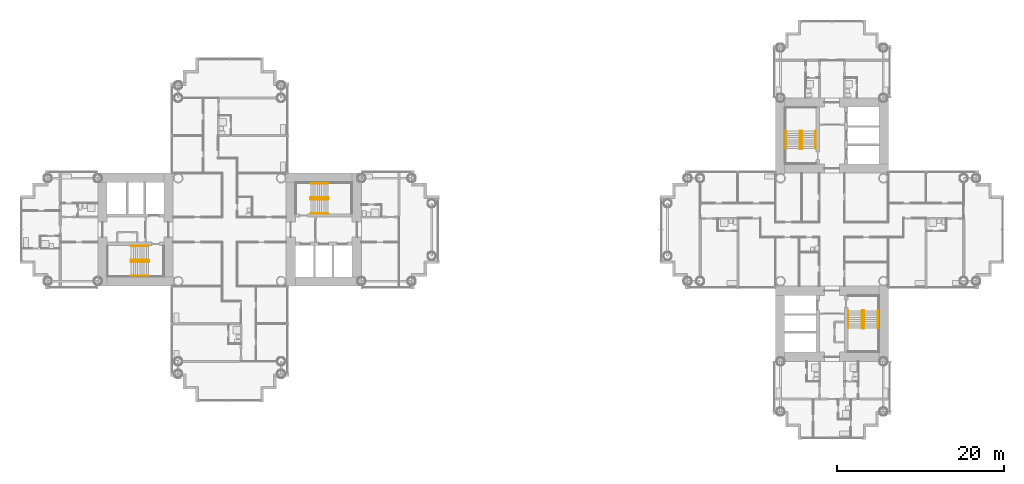
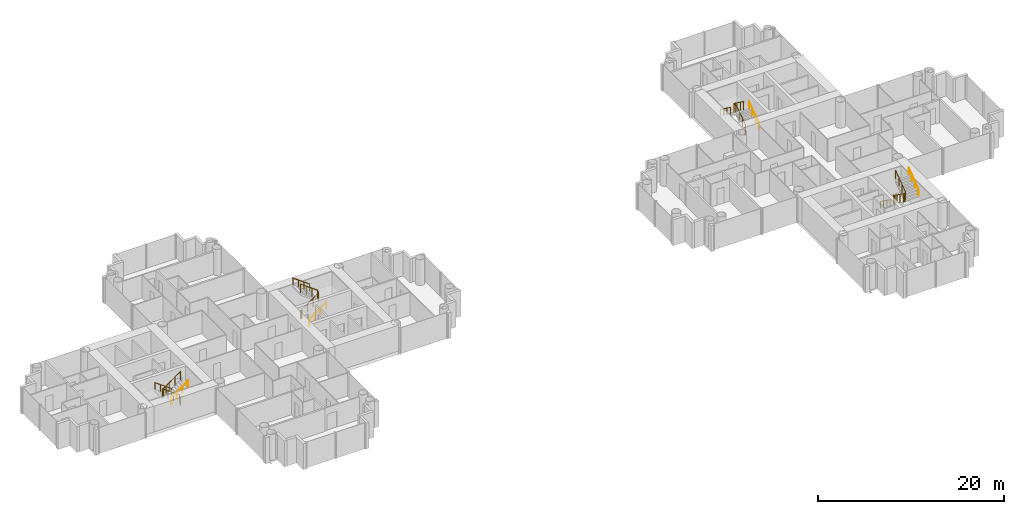
# One storey, part 20 of 21: 12 railings.
"""IFC4 building model written with IfcOpenShell, lengths in metres."""

from ifc_helpers import new_model, si_unit, direction, frame, origin, origin_2d, place, context, subcontext, project, spatial, circle, extrude, material, type_object, element, save


model = new_model("IFC4")

# Units and contexts
model_context = context("Model", 3, precision=1e-05, world=origin(), true_north=direction((0.0, 1.0)))
body_context = subcontext(model_context, "Body", "Model", "MODEL_VIEW")
ifc_project = project(units=[si_unit("LENGTHUNIT", "METRE"), si_unit("AREAUNIT", "SQUARE_METRE"), si_unit("VOLUMEUNIT", "CUBIC_METRE"), si_unit("PLANEANGLEUNIT", "RADIAN"), si_unit("MASSUNIT", "GRAM", prefix="KILO")], contexts=[model_context])

# Site, building, storey
site_placement = place(None, origin())
site = spatial("IfcSite", under=ifc_project, at=site_placement, CompositionType="ELEMENT")
building_placement = place(site_placement, origin())
building = spatial("IfcBuilding", under=site, at=building_placement, Name="Ipe Terrace Towers", CompositionType="ELEMENT")
storey_placement = place(building_placement, frame((0.0, 0.0, 48.300048828125)))
storey = spatial("IfcBuildingStorey", under=building, at=storey_placement, Name="L12", CompositionType="ELEMENT", Elevation=48.300048828125)

# Railings
ifc_material_1 = material(Name="Steel S355", Category="steel")
railing_type_1 = type_object("IfcRailingType", Name="Stair guard 1100", PredefinedType="GUARDRAIL", material=ifc_material_1)
railing_1_placement = place(storey_placement, frame((-26.35009765625, 3.800048828125, 0.0)))
element("IfcRailing", 1, at=railing_1_placement, inside=storey, type_object=railing_type_1, Name="L12 T1-ST1 stair guard 1", PredefinedType="GUARDRAIL", context=body_context, shape_type="SweptSolid", body=[
    extrude(circle(Radius=0.02392578125, at=origin_2d()), frame((0.0, 0.0, 1.076171875), z_axis=(0.0, -1.0, 0.0), x_axis=(1.0, 0.0, 0.0)), (0.0, 0.0, 1.0), 0.150146484375),
    extrude(circle(Radius=0.02392578125, at=origin_2d()), frame((0.0, -0.150146484375, 1.076171875), z_axis=(0.248385422981, -0.247173786771, 0.936594790069), x_axis=(0.705375805398, 0.708833529934, 0.0)), (0.0, 0.0, 1.0), 0.201416015625),
    extrude(circle(Radius=0.02392578125, at=origin_2d()), frame((0.050048828125, -0.199951171875, 1.2646484375), z_axis=(0.809023421508, 0.0, 0.587776406001), x_axis=(0.0, 1.0, 0.0)), (0.0, 0.0, 1.0), 2.571044921875),
    extrude(circle(Radius=0.02392578125, at=origin_2d()), frame((2.130126953125, -0.199951171875, 2.77587890625), z_axis=(0.708833529934, 0.705375805398, 0.0), x_axis=(-0.705375805398, 0.708833529934, 0.0)), (0.0, 0.0, 1.0), 0.070556640625),
    extrude(circle(Radius=0.02392578125, at=origin_2d()), frame((2.18017578125, -0.150146484375, 2.77587890625), z_axis=(0.0, 1.0, 0.0), x_axis=(-1.0, 0.0, 0.0)), (0.0, 0.0, 1.0), 0.150146484375),
    extrude(circle(Radius=0.02392578125, at=origin_2d()), frame((2.18017578125, 0.0, 2.77587890625), z_axis=(-0.248029566107, 0.248029566107, 0.936462849596), x_axis=(-0.707106781187, -0.707106781187, 0.0)), (0.0, 0.0, 1.0), 0.201904296875),
    extrude(circle(Radius=0.02392578125, at=origin_2d()), frame((2.130126953125, 0.050048828125, 2.96484375), z_axis=(-0.809068575486, 0.0, 0.587714250432), x_axis=(0.0, -1.0, 0.0)), (0.0, 0.0, 1.0), 2.571044921875),
    extrude(circle(Radius=0.02099609375, at=origin_2d()), origin(), (0.0, 0.0, 1.0), 1.052001953125),
    extrude(circle(Radius=0.02099609375, at=origin_2d()), frame((0.0, -0.150146484375, 0.0)), (0.0, 0.0, 1.0), 1.052001953125),
    extrude(circle(Radius=0.02099609375, at=origin_2d()), frame((0.050048828125, -0.199951171875, 0.188720703125)), (0.0, 0.0, 1.0), 1.052001953125),
    extrude(circle(Radius=0.02099609375, at=origin_2d()), frame((0.743408203125, -0.199951171875, 0.6923828125)), (0.0, 0.0, 1.0), 1.052001953125),
    extrude(circle(Radius=0.02099609375, at=origin_2d()), frame((1.436767578125, -0.199951171875, 1.1962890625)), (0.0, 0.0, 1.0), 1.052001953125),
    extrude(circle(Radius=0.02099609375, at=origin_2d()), frame((2.130126953125, -0.199951171875, 1.699951171875)), (0.0, 0.0, 1.0), 1.052001953125),
    extrude(circle(Radius=0.02099609375, at=origin_2d()), frame((2.18017578125, -0.150146484375, 1.699951171875)), (0.0, 0.0, 1.0), 1.052001953125),
    extrude(circle(Radius=0.02099609375, at=origin_2d()), frame((2.18017578125, 0.0, 1.699951171875)), (0.0, 0.0, 1.0), 1.052001953125),
    extrude(circle(Radius=0.02099609375, at=origin_2d()), frame((2.130126953125, 0.050048828125, 1.888916015625)), (0.0, 0.0, 1.0), 1.052001953125),
    extrude(circle(Radius=0.02099609375, at=origin_2d()), frame((1.436767578125, 0.050048828125, 2.392578125)), (0.0, 0.0, 1.0), 1.052001953125),
    extrude(circle(Radius=0.02099609375, at=origin_2d()), frame((0.743408203125, 0.050048828125, 2.896240234375)), (0.0, 0.0, 1.0), 1.052001953125),
    extrude(circle(Radius=0.02099609375, at=origin_2d()), frame((0.050048828125, 0.050048828125, 3.39990234375)), (0.0, 0.0, 1.0), 1.052001953125),
])
railing_2_placement = place(storey_placement, frame((-45.64990234375, -3.800048828125, 0.0)))
element("IfcRailing", 2, at=railing_2_placement, inside=storey, type_object=railing_type_1, Name="L12 T1-ST2 stair guard 1", PredefinedType="GUARDRAIL", context=body_context, shape_type="SweptSolid", body=[
    extrude(circle(Radius=0.02392578125, at=origin_2d()), frame((0.0, 0.0, 1.076171875), z_axis=(0.0, 1.0, 0.0), x_axis=(-1.0, 0.0, 0.0)), (0.0, 0.0, 1.0), 0.150146484375),
    extrude(circle(Radius=0.02392578125, at=origin_2d()), frame((0.0, 0.150146484375, 1.076171875), z_axis=(-0.248385422981, 0.247173786771, 0.936594790069), x_axis=(-0.705375805398, -0.708833529934, 0.0)), (0.0, 0.0, 1.0), 0.201416015625),
    extrude(circle(Radius=0.02392578125, at=origin_2d()), frame((-0.050048828125, 0.199951171875, 1.2646484375), z_axis=(-0.809023421508, 0.0, 0.587776406001), x_axis=(0.0, -1.0, 0.0)), (0.0, 0.0, 1.0), 2.571044921875),
    extrude(circle(Radius=0.02392578125, at=origin_2d()), frame((-2.130126953125, 0.199951171875, 2.77587890625), z_axis=(-0.708833529934, -0.705375805398, 0.0), x_axis=(0.705375805398, -0.708833529934, 0.0)), (0.0, 0.0, 1.0), 0.070556640625),
    extrude(circle(Radius=0.02392578125, at=origin_2d()), frame((-2.18017578125, 0.150146484375, 2.77587890625), z_axis=(0.0, -1.0, 0.0), x_axis=(1.0, 0.0, 0.0)), (0.0, 0.0, 1.0), 0.150146484375),
    extrude(circle(Radius=0.02392578125, at=origin_2d()), frame((-2.18017578125, 0.0, 2.77587890625), z_axis=(0.248029566107, -0.248029566107, 0.936462849596), x_axis=(0.707106781187, 0.707106781187, 0.0)), (0.0, 0.0, 1.0), 0.201904296875),
    extrude(circle(Radius=0.02392578125, at=origin_2d()), frame((-2.130126953125, -0.050048828125, 2.96484375), z_axis=(0.809068575486, 0.0, 0.587714250432), x_axis=(0.0, 1.0, 0.0)), (0.0, 0.0, 1.0), 2.571044921875),
    extrude(circle(Radius=0.02099609375, at=origin_2d()), origin(), (0.0, 0.0, 1.0), 1.052001953125),
    extrude(circle(Radius=0.02099609375, at=origin_2d()), frame((0.0, 0.150146484375, 0.0)), (0.0, 0.0, 1.0), 1.052001953125),
    extrude(circle(Radius=0.02099609375, at=origin_2d()), frame((-0.050048828125, 0.199951171875, 0.188720703125)), (0.0, 0.0, 1.0), 1.052001953125),
    extrude(circle(Radius=0.02099609375, at=origin_2d()), frame((-0.743408203125, 0.199951171875, 0.6923828125)), (0.0, 0.0, 1.0), 1.052001953125),
    extrude(circle(Radius=0.02099609375, at=origin_2d()), frame((-1.436767578125, 0.199951171875, 1.1962890625)), (0.0, 0.0, 1.0), 1.052001953125),
    extrude(circle(Radius=0.02099609375, at=origin_2d()), frame((-2.130126953125, 0.199951171875, 1.699951171875)), (0.0, 0.0, 1.0), 1.052001953125),
    extrude(circle(Radius=0.02099609375, at=origin_2d()), frame((-2.18017578125, 0.150146484375, 1.699951171875)), (0.0, 0.0, 1.0), 1.052001953125),
    extrude(circle(Radius=0.02099609375, at=origin_2d()), frame((-2.18017578125, 0.0, 1.699951171875)), (0.0, 0.0, 1.0), 1.052001953125),
    extrude(circle(Radius=0.02099609375, at=origin_2d()), frame((-2.130126953125, -0.050048828125, 1.888916015625)), (0.0, 0.0, 1.0), 1.052001953125),
    extrude(circle(Radius=0.02099609375, at=origin_2d()), frame((-1.436767578125, -0.050048828125, 2.392578125)), (0.0, 0.0, 1.0), 1.052001953125),
    extrude(circle(Radius=0.02099609375, at=origin_2d()), frame((-0.743408203125, -0.050048828125, 2.896240234375)), (0.0, 0.0, 1.0), 1.052001953125),
    extrude(circle(Radius=0.02099609375, at=origin_2d()), frame((-0.050048828125, -0.050048828125, 3.39990234375)), (0.0, 0.0, 1.0), 1.052001953125),
])
railing_3_placement = place(storey_placement, frame((32.199951171875, 9.64990234375, 0.0)))
element("IfcRailing", 3, at=railing_3_placement, inside=storey, type_object=railing_type_1, Name="L12 T2-ST1 stair guard 1", PredefinedType="GUARDRAIL", context=body_context, shape_type="SweptSolid", body=[
    extrude(circle(Radius=0.02392578125, at=origin_2d()), frame((0.0, 0.0, 1.076171875), z_axis=(1.0, 0.0, 0.0), x_axis=(0.0, 1.0, 0.0)), (0.0, 0.0, 1.0), 0.150146484375),
    extrude(circle(Radius=0.02392578125, at=origin_2d()), frame((0.150146484375, 0.0, 1.076171875), z_axis=(0.247173786771, 0.248385422981, 0.936594790069), x_axis=(-0.708833529934, 0.705375805398, 0.0)), (0.0, 0.0, 1.0), 0.201416015625),
    extrude(circle(Radius=0.02392578125, at=origin_2d()), frame((0.199951171875, 0.050048828125, 1.2646484375), z_axis=(0.0, 0.809023421508, 0.587776406001), x_axis=(-1.0, 0.0, 0.0)), (0.0, 0.0, 1.0), 2.571044921875),
    extrude(circle(Radius=0.02392578125, at=origin_2d()), frame((0.199951171875, 2.130126953125, 2.77587890625), z_axis=(-0.705375805398, 0.708833529934, 0.0), x_axis=(-0.708833529934, -0.705375805398, 0.0)), (0.0, 0.0, 1.0), 0.070556640625),
    extrude(circle(Radius=0.02392578125, at=origin_2d()), frame((0.150146484375, 2.18017578125, 2.77587890625), z_axis=(-1.0, 0.0, 0.0), x_axis=(0.0, -1.0, 0.0)), (0.0, 0.0, 1.0), 0.150146484375),
    extrude(circle(Radius=0.02392578125, at=origin_2d()), frame((0.0, 2.18017578125, 2.77587890625), z_axis=(-0.248029566107, -0.248029566107, 0.936462849596), x_axis=(0.707106781187, -0.707106781187, 0.0)), (0.0, 0.0, 1.0), 0.201904296875),
    extrude(circle(Radius=0.02392578125, at=origin_2d()), frame((-0.050048828125, 2.130126953125, 2.96484375), z_axis=(0.0, -0.809068575486, 0.587714250432), x_axis=(1.0, 0.0, 0.0)), (0.0, 0.0, 1.0), 2.571044921875),
    extrude(circle(Radius=0.02099609375, at=origin_2d()), origin(), (0.0, 0.0, 1.0), 1.052001953125),
    extrude(circle(Radius=0.02099609375, at=origin_2d()), frame((0.150146484375, 0.0, 0.0)), (0.0, 0.0, 1.0), 1.052001953125),
    extrude(circle(Radius=0.02099609375, at=origin_2d()), frame((0.199951171875, 0.050048828125, 0.188720703125)), (0.0, 0.0, 1.0), 1.052001953125),
    extrude(circle(Radius=0.02099609375, at=origin_2d()), frame((0.199951171875, 0.743408203125, 0.6923828125)), (0.0, 0.0, 1.0), 1.052001953125),
    extrude(circle(Radius=0.02099609375, at=origin_2d()), frame((0.199951171875, 1.436767578125, 1.1962890625)), (0.0, 0.0, 1.0), 1.052001953125),
    extrude(circle(Radius=0.02099609375, at=origin_2d()), frame((0.199951171875, 2.130126953125, 1.699951171875)), (0.0, 0.0, 1.0), 1.052001953125),
    extrude(circle(Radius=0.02099609375, at=origin_2d()), frame((0.150146484375, 2.18017578125, 1.699951171875)), (0.0, 0.0, 1.0), 1.052001953125),
    extrude(circle(Radius=0.02099609375, at=origin_2d()), frame((0.0, 2.18017578125, 1.699951171875)), (0.0, 0.0, 1.0), 1.052001953125),
    extrude(circle(Radius=0.02099609375, at=origin_2d()), frame((-0.050048828125, 2.130126953125, 1.888916015625)), (0.0, 0.0, 1.0), 1.052001953125),
    extrude(circle(Radius=0.02099609375, at=origin_2d()), frame((-0.050048828125, 1.436767578125, 2.392578125)), (0.0, 0.0, 1.0), 1.052001953125),
    extrude(circle(Radius=0.02099609375, at=origin_2d()), frame((-0.050048828125, 0.743408203125, 2.896240234375)), (0.0, 0.0, 1.0), 1.052001953125),
    extrude(circle(Radius=0.02099609375, at=origin_2d()), frame((-0.050048828125, 0.050048828125, 3.39990234375)), (0.0, 0.0, 1.0), 1.052001953125),
])
railing_4_placement = place(storey_placement, frame((39.800048828125, -9.64990234375, 0.0)))
element("IfcRailing", 4, at=railing_4_placement, inside=storey, type_object=railing_type_1, Name="L12 T2-ST2 stair guard 1", PredefinedType="GUARDRAIL", context=body_context, shape_type="SweptSolid", body=[
    extrude(circle(Radius=0.02392578125, at=origin_2d()), frame((0.0, 0.0, 1.076171875), z_axis=(-1.0, 0.0, 0.0), x_axis=(0.0, -1.0, 0.0)), (0.0, 0.0, 1.0), 0.150146484375),
    extrude(circle(Radius=0.02392578125, at=origin_2d()), frame((-0.150146484375, 0.0, 1.076171875), z_axis=(-0.247173786771, -0.248385422981, 0.936594790069), x_axis=(0.708833529934, -0.705375805398, 0.0)), (0.0, 0.0, 1.0), 0.201416015625),
    extrude(circle(Radius=0.02392578125, at=origin_2d()), frame((-0.199951171875, -0.050048828125, 1.2646484375), z_axis=(0.0, -0.809023421508, 0.587776406001), x_axis=(1.0, 0.0, 0.0)), (0.0, 0.0, 1.0), 2.571044921875),
    extrude(circle(Radius=0.02392578125, at=origin_2d()), frame((-0.199951171875, -2.130126953125, 2.77587890625), z_axis=(0.705375805398, -0.708833529934, 0.0), x_axis=(0.708833529934, 0.705375805398, 0.0)), (0.0, 0.0, 1.0), 0.070556640625),
    extrude(circle(Radius=0.02392578125, at=origin_2d()), frame((-0.150146484375, -2.18017578125, 2.77587890625), z_axis=(1.0, 0.0, 0.0), x_axis=(0.0, 1.0, 0.0)), (0.0, 0.0, 1.0), 0.150146484375),
    extrude(circle(Radius=0.02392578125, at=origin_2d()), frame((0.0, -2.18017578125, 2.77587890625), z_axis=(0.248029566107, 0.248029566107, 0.936462849596), x_axis=(-0.707106781187, 0.707106781187, 0.0)), (0.0, 0.0, 1.0), 0.201904296875),
    extrude(circle(Radius=0.02392578125, at=origin_2d()), frame((0.050048828125, -2.130126953125, 2.96484375), z_axis=(0.0, 0.809068575486, 0.587714250432), x_axis=(-1.0, 0.0, 0.0)), (0.0, 0.0, 1.0), 2.571044921875),
    extrude(circle(Radius=0.02099609375, at=origin_2d()), origin(), (0.0, 0.0, 1.0), 1.052001953125),
    extrude(circle(Radius=0.02099609375, at=origin_2d()), frame((-0.150146484375, 0.0, 0.0)), (0.0, 0.0, 1.0), 1.052001953125),
    extrude(circle(Radius=0.02099609375, at=origin_2d()), frame((-0.199951171875, -0.050048828125, 0.188720703125)), (0.0, 0.0, 1.0), 1.052001953125),
    extrude(circle(Radius=0.02099609375, at=origin_2d()), frame((-0.199951171875, -0.743408203125, 0.6923828125)), (0.0, 0.0, 1.0), 1.052001953125),
    extrude(circle(Radius=0.02099609375, at=origin_2d()), frame((-0.199951171875, -1.436767578125, 1.1962890625)), (0.0, 0.0, 1.0), 1.052001953125),
    extrude(circle(Radius=0.02099609375, at=origin_2d()), frame((-0.199951171875, -2.130126953125, 1.699951171875)), (0.0, 0.0, 1.0), 1.052001953125),
    extrude(circle(Radius=0.02099609375, at=origin_2d()), frame((-0.150146484375, -2.18017578125, 1.699951171875)), (0.0, 0.0, 1.0), 1.052001953125),
    extrude(circle(Radius=0.02099609375, at=origin_2d()), frame((0.0, -2.18017578125, 1.699951171875)), (0.0, 0.0, 1.0), 1.052001953125),
    extrude(circle(Radius=0.02099609375, at=origin_2d()), frame((0.050048828125, -2.130126953125, 1.888916015625)), (0.0, 0.0, 1.0), 1.052001953125),
    extrude(circle(Radius=0.02099609375, at=origin_2d()), frame((0.050048828125, -1.436767578125, 2.392578125)), (0.0, 0.0, 1.0), 1.052001953125),
    extrude(circle(Radius=0.02099609375, at=origin_2d()), frame((0.050048828125, -0.743408203125, 2.896240234375)), (0.0, 0.0, 1.0), 1.052001953125),
    extrude(circle(Radius=0.02099609375, at=origin_2d()), frame((0.050048828125, -0.050048828125, 3.39990234375)), (0.0, 0.0, 1.0), 1.052001953125),
])
ifc_material_2 = material(Name="Stainless steel grade 304", Category="steel")
railing_type_2 = type_object("IfcRailingType", Name="Stair handrail 900", PredefinedType="HANDRAIL", material=ifc_material_2)
railing_5_placement = place(storey_placement, frame((-26.300048828125, 1.949951171875, 0.188720703125)))
element("IfcRailing", 5, at=railing_5_placement, inside=storey, type_object=railing_type_2, Name="L12 T1-ST1 stair handrail 1", PredefinedType="HANDRAIL", context=body_context, shape_type="SweptSolid", body=[
    extrude(circle(Radius=0.02392578125, at=origin_2d()), frame((0.0, 0.0, 0.8759765625), z_axis=(0.809023421508, 0.0, 0.587776406001), x_axis=(0.0, 1.0, 0.0)), (0.0, 0.0, 1.0), 2.571044921875),
    extrude(circle(Radius=0.02099609375, at=origin_2d()), origin(), (0.0, 0.0, 1.0), 0.851806640625),
    extrude(circle(Radius=0.02099609375, at=origin_2d()), frame((0.693359375, 0.0, 0.503662109375)), (0.0, 0.0, 1.0), 0.851806640625),
    extrude(circle(Radius=0.02099609375, at=origin_2d()), frame((1.38671875, 0.0, 1.007568359375)), (0.0, 0.0, 1.0), 0.851806640625),
    extrude(circle(Radius=0.02099609375, at=origin_2d()), frame((2.080078125, 0.0, 1.51123046875)), (0.0, 0.0, 1.0), 0.851806640625),
])
railing_6_placement = place(storey_placement, frame((-24.219970703125, 5.5, 1.888916015625)))
element("IfcRailing", 6, at=railing_6_placement, inside=storey, type_object=railing_type_2, Name="L12 T1-ST1 stair handrail 2", PredefinedType="HANDRAIL", context=body_context, shape_type="SweptSolid", body=[
    extrude(circle(Radius=0.02392578125, at=origin_2d()), frame((0.0, 0.0, 0.8759765625), z_axis=(-0.809068575486, 0.0, 0.587714250432), x_axis=(0.0, -1.0, 0.0)), (0.0, 0.0, 1.0), 2.571044921875),
    extrude(circle(Radius=0.02099609375, at=origin_2d()), origin(), (0.0, 0.0, 1.0), 0.851806640625),
    extrude(circle(Radius=0.02099609375, at=origin_2d()), frame((-0.693359375, 0.0, 0.503662109375)), (0.0, 0.0, 1.0), 0.851806640625),
    extrude(circle(Radius=0.02099609375, at=origin_2d()), frame((-1.38671875, 0.0, 1.00732421875)), (0.0, 0.0, 1.0), 0.851806640625),
    extrude(circle(Radius=0.02099609375, at=origin_2d()), frame((-2.080078125, 0.0, 1.510986328125)), (0.0, 0.0, 1.0), 0.851806640625),
])
railing_7_placement = place(storey_placement, frame((-45.699951171875, -1.949951171875, 0.188720703125)))
element("IfcRailing", 7, at=railing_7_placement, inside=storey, type_object=railing_type_2, Name="L12 T1-ST2 stair handrail 1", PredefinedType="HANDRAIL", context=body_context, shape_type="SweptSolid", body=[
    extrude(circle(Radius=0.02392578125, at=origin_2d()), frame((0.0, 0.0, 0.8759765625), z_axis=(-0.809023421508, 0.0, 0.587776406001), x_axis=(0.0, -1.0, 0.0)), (0.0, 0.0, 1.0), 2.571044921875),
    extrude(circle(Radius=0.02099609375, at=origin_2d()), origin(), (0.0, 0.0, 1.0), 0.851806640625),
    extrude(circle(Radius=0.02099609375, at=origin_2d()), frame((-0.693359375, 0.0, 0.503662109375)), (0.0, 0.0, 1.0), 0.851806640625),
    extrude(circle(Radius=0.02099609375, at=origin_2d()), frame((-1.38671875, 0.0, 1.007568359375)), (0.0, 0.0, 1.0), 0.851806640625),
    extrude(circle(Radius=0.02099609375, at=origin_2d()), frame((-2.080078125, 0.0, 1.51123046875)), (0.0, 0.0, 1.0), 0.851806640625),
])
railing_8_placement = place(storey_placement, frame((-47.780029296875, -5.5, 1.888916015625)))
element("IfcRailing", 8, at=railing_8_placement, inside=storey, type_object=railing_type_2, Name="L12 T1-ST2 stair handrail 2", PredefinedType="HANDRAIL", context=body_context, shape_type="SweptSolid", body=[
    extrude(circle(Radius=0.02392578125, at=origin_2d()), frame((0.0, 0.0, 0.8759765625), z_axis=(0.809068575486, 0.0, 0.587714250432), x_axis=(0.0, 1.0, 0.0)), (0.0, 0.0, 1.0), 2.571044921875),
    extrude(circle(Radius=0.02099609375, at=origin_2d()), origin(), (0.0, 0.0, 1.0), 0.851806640625),
    extrude(circle(Radius=0.02099609375, at=origin_2d()), frame((0.693359375, 0.0, 0.503662109375)), (0.0, 0.0, 1.0), 0.851806640625),
    extrude(circle(Radius=0.02099609375, at=origin_2d()), frame((1.38671875, 0.0, 1.00732421875)), (0.0, 0.0, 1.0), 0.851806640625),
    extrude(circle(Radius=0.02099609375, at=origin_2d()), frame((2.080078125, 0.0, 1.510986328125)), (0.0, 0.0, 1.0), 0.851806640625),
])
railing_9_placement = place(storey_placement, frame((34.050048828125, 9.699951171875, 0.188720703125)))
element("IfcRailing", 9, at=railing_9_placement, inside=storey, type_object=railing_type_2, Name="L12 T2-ST1 stair handrail 1", PredefinedType="HANDRAIL", context=body_context, shape_type="SweptSolid", body=[
    extrude(circle(Radius=0.02392578125, at=origin_2d()), frame((0.0, 0.0, 0.8759765625), z_axis=(0.0, 0.809023421508, 0.587776406001), x_axis=(-1.0, 0.0, 0.0)), (0.0, 0.0, 1.0), 2.571044921875),
    extrude(circle(Radius=0.02099609375, at=origin_2d()), origin(), (0.0, 0.0, 1.0), 0.851806640625),
    extrude(circle(Radius=0.02099609375, at=origin_2d()), frame((0.0, 0.693359375, 0.503662109375)), (0.0, 0.0, 1.0), 0.851806640625),
    extrude(circle(Radius=0.02099609375, at=origin_2d()), frame((0.0, 1.38671875, 1.007568359375)), (0.0, 0.0, 1.0), 0.851806640625),
    extrude(circle(Radius=0.02099609375, at=origin_2d()), frame((0.0, 2.080078125, 1.51123046875)), (0.0, 0.0, 1.0), 0.851806640625),
])
railing_10_placement = place(storey_placement, frame((30.5, 11.780029296875, 1.888916015625)))
element("IfcRailing", 10, at=railing_10_placement, inside=storey, type_object=railing_type_2, Name="L12 T2-ST1 stair handrail 2", PredefinedType="HANDRAIL", context=body_context, shape_type="SweptSolid", body=[
    extrude(circle(Radius=0.02392578125, at=origin_2d()), frame((0.0, 0.0, 0.8759765625), z_axis=(0.0, -0.809068575486, 0.587714250432), x_axis=(1.0, 0.0, 0.0)), (0.0, 0.0, 1.0), 2.571044921875),
    extrude(circle(Radius=0.02099609375, at=origin_2d()), origin(), (0.0, 0.0, 1.0), 0.851806640625),
    extrude(circle(Radius=0.02099609375, at=origin_2d()), frame((0.0, -0.693359375, 0.503662109375)), (0.0, 0.0, 1.0), 0.851806640625),
    extrude(circle(Radius=0.02099609375, at=origin_2d()), frame((0.0, -1.38671875, 1.00732421875)), (0.0, 0.0, 1.0), 0.851806640625),
    extrude(circle(Radius=0.02099609375, at=origin_2d()), frame((0.0, -2.080078125, 1.510986328125)), (0.0, 0.0, 1.0), 0.851806640625),
])
railing_11_placement = place(storey_placement, frame((37.949951171875, -9.699951171875, 0.188720703125)))
element("IfcRailing", 11, at=railing_11_placement, inside=storey, type_object=railing_type_2, Name="L12 T2-ST2 stair handrail 1", PredefinedType="HANDRAIL", context=body_context, shape_type="SweptSolid", body=[
    extrude(circle(Radius=0.02392578125, at=origin_2d()), frame((0.0, 0.0, 0.8759765625), z_axis=(0.0, -0.809023421508, 0.587776406001), x_axis=(1.0, 0.0, 0.0)), (0.0, 0.0, 1.0), 2.571044921875),
    extrude(circle(Radius=0.02099609375, at=origin_2d()), origin(), (0.0, 0.0, 1.0), 0.851806640625),
    extrude(circle(Radius=0.02099609375, at=origin_2d()), frame((0.0, -0.693359375, 0.503662109375)), (0.0, 0.0, 1.0), 0.851806640625),
    extrude(circle(Radius=0.02099609375, at=origin_2d()), frame((0.0, -1.38671875, 1.007568359375)), (0.0, 0.0, 1.0), 0.851806640625),
    extrude(circle(Radius=0.02099609375, at=origin_2d()), frame((0.0, -2.080078125, 1.51123046875)), (0.0, 0.0, 1.0), 0.851806640625),
])
railing_12_placement = place(storey_placement, frame((41.5, -11.780029296875, 1.888916015625)))
element("IfcRailing", 12, at=railing_12_placement, inside=storey, type_object=railing_type_2, Name="L12 T2-ST2 stair handrail 2", PredefinedType="HANDRAIL", context=body_context, shape_type="SweptSolid", body=[
    extrude(circle(Radius=0.02392578125, at=origin_2d()), frame((0.0, 0.0, 0.8759765625), z_axis=(0.0, 0.809068575486, 0.587714250432), x_axis=(-1.0, 0.0, 0.0)), (0.0, 0.0, 1.0), 2.571044921875),
    extrude(circle(Radius=0.02099609375, at=origin_2d()), origin(), (0.0, 0.0, 1.0), 0.851806640625),
    extrude(circle(Radius=0.02099609375, at=origin_2d()), frame((0.0, 0.693359375, 0.503662109375)), (0.0, 0.0, 1.0), 0.851806640625),
    extrude(circle(Radius=0.02099609375, at=origin_2d()), frame((0.0, 1.38671875, 1.00732421875)), (0.0, 0.0, 1.0), 0.851806640625),
    extrude(circle(Radius=0.02099609375, at=origin_2d()), frame((0.0, 2.080078125, 1.510986328125)), (0.0, 0.0, 1.0), 0.851806640625),
])

save(model, "model.ifc")
